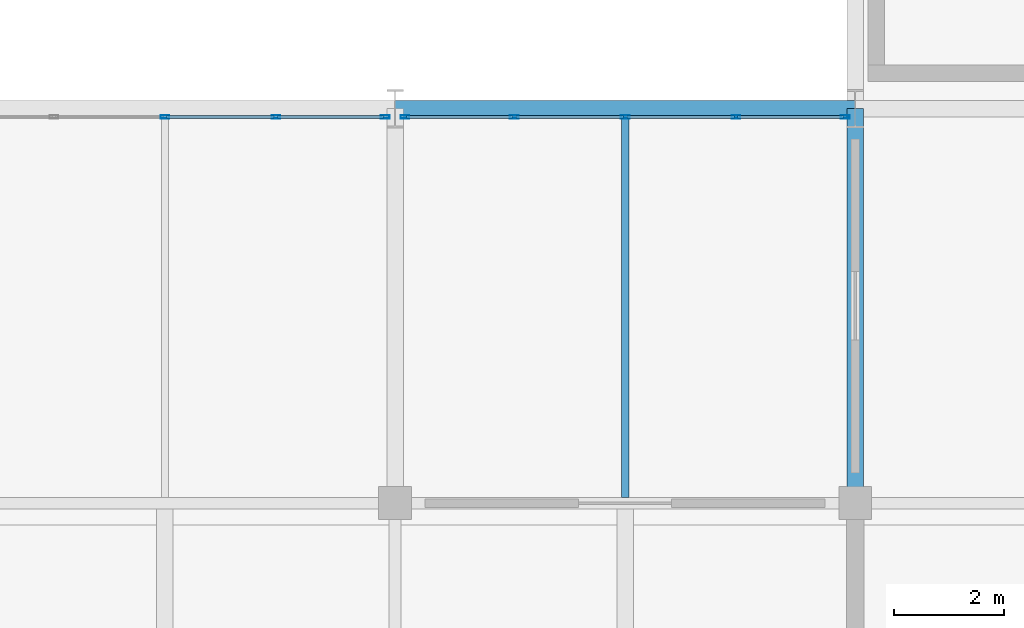
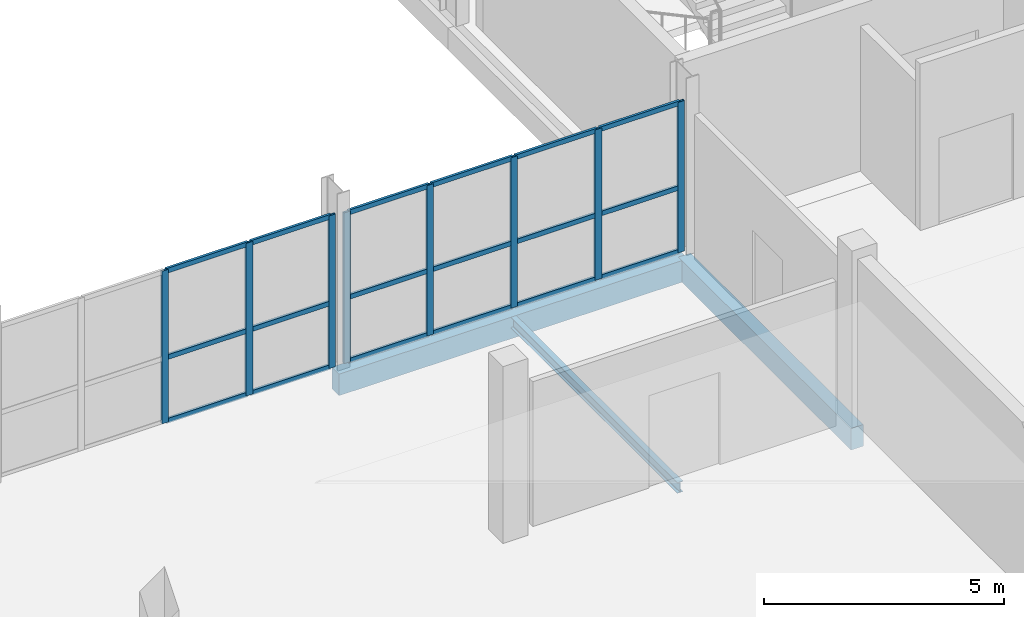
# One storey, part 41 of 113: 26 members, 3 beams, 2 elements without a shape of their own.
"""IFC4 building model written with IfcOpenShell, lengths in metres."""

from ifc_helpers import new_model, si_unit, direction, frame, origin, origin_2d, place, context, subcontext, project, spatial, rectangle, hollow_rectangle, i_section, extrude, material, material_profile, profile_set, type_object, element, aggregate, save


model = new_model("IFC4")

# Units and contexts
model_context = context("Model", 3, precision=1e-05, world=origin(), true_north=direction((0.0, 1.0)))
body_context = subcontext(model_context, "Body", "Model", "MODEL_VIEW")
ifc_project = project(units=[si_unit("LENGTHUNIT", "METRE"), si_unit("AREAUNIT", "SQUARE_METRE"), si_unit("VOLUMEUNIT", "CUBIC_METRE"), si_unit("PLANEANGLEUNIT", "RADIAN"), si_unit("MASSUNIT", "GRAM", prefix="KILO")], contexts=[model_context])

# Site, building, storey
site_placement = place(None, origin())
site = spatial("IfcSite", under=ifc_project, at=site_placement, CompositionType="ELEMENT")
building_placement = place(site_placement, origin())
building = spatial("IfcBuilding", under=site, at=building_placement, Name="Veltarok Museum of Natural Sciences", CompositionType="ELEMENT")
storey_placement = place(building_placement, frame((0.0, 0.0, 8.39990234375)))
storey = spatial("IfcBuildingStorey", under=building, at=storey_placement, Name="L01", CompositionType="ELEMENT", Elevation=8.39990234375)

# Curtain wall, members
ifc_material_1 = material(Name="Low-iron triple insulated glass", Category="glass")
curtain_wall_type_1 = type_object("IfcCurtainWallType", Name="Curtain Wall System CW-V5CN-L01-0-810x388 (CW-V5CN L01 810x388cm)", PredefinedType="NOTDEFINED", material=ifc_material_1)
curtain_wall_1_placement = place(storey_placement, origin())
curtain_wall_1 = element("IfcCurtainWall", 1, at=curtain_wall_1_placement, inside=storey, type_object=curtain_wall_type_1, Name="Curtain Wall CW-V5CN-L01-0-810x388 CW-0188", PredefinedType="NOTDEFINED")
ifc_material_2 = material(Name="Thermally broken anodised aluminium", Category="aluminium")
ifc_material_profile_1 = material_profile(ifc_material_2, hollow_rectangle(XDim=0.06005859375, YDim=0.1201171875, WallThickness=0.0048828125, at=origin_2d()), Name="CW TRANSOM 60x120x5")
ifc_profile_set_1 = profile_set([ifc_material_profile_1], Name="Thermally broken anodised aluminium")
member_type_1 = type_object("IfcMemberType", Name="Curtain Wall Horizontal Transom 60x120x5", PredefinedType="USERDEFINED", material=ifc_profile_set_1)
member_1_placement = place(storey_placement, frame((123.7900390625, 26.25, 0.028076171875), z_axis=(-1.0, 0.0, 0.0), x_axis=(0.0, -1.0, 0.0)))
member_1 = element("IfcMember", 2, at=member_1_placement, type_object=member_type_1, Name="CW-V5CN-L01-0-810x388 transom 1.1", ObjectType="TRANSOM", PredefinedType="USERDEFINED", context=body_context, shape_type="SweptSolid", body=[
    extrude(hollow_rectangle(XDim=0.06005859375, YDim=0.1201171875, WallThickness=0.0048828125, at=origin_2d()), origin(), (0.0, 0.0, 1.0), 1.93505859375),
])
member_2_placement = place(storey_placement, frame((123.7900390625, 26.25, 1.648193359375), z_axis=(-1.0, 0.0, 0.0), x_axis=(0.0, -1.0, 0.0)))
member_2 = element("IfcMember", 3, at=member_2_placement, type_object=member_type_1, Name="CW-V5CN-L01-0-810x388 transom 1.2", ObjectType="TRANSOM", PredefinedType="USERDEFINED", context=body_context, shape_type="SweptSolid", body=[
    extrude(hollow_rectangle(XDim=0.06005859375, YDim=0.1201171875, WallThickness=0.0048828125, at=origin_2d()), origin(), (0.0, 0.0, 1.0), 1.93505859375),
])
member_3_placement = place(storey_placement, frame((123.7900390625, 26.25, 3.85009765625), z_axis=(-1.0, 0.0, 0.0), x_axis=(0.0, -1.0, 0.0)))
member_3 = element("IfcMember", 4, at=member_3_placement, type_object=member_type_1, Name="CW-V5CN-L01-0-810x388 transom 1.3", ObjectType="TRANSOM", PredefinedType="USERDEFINED", context=body_context, shape_type="SweptSolid", body=[
    extrude(hollow_rectangle(XDim=0.06005859375, YDim=0.1201171875, WallThickness=0.0048828125, at=origin_2d()), origin(), (0.0, 0.0, 1.0), 1.93505859375),
])
member_4_placement = place(storey_placement, frame((121.794921875, 26.25, 0.028076171875), z_axis=(-1.0, 0.0, 0.0), x_axis=(0.0, -1.0, 0.0)))
member_4 = element("IfcMember", 5, at=member_4_placement, type_object=member_type_1, Name="CW-V5CN-L01-0-810x388 transom 2.1", ObjectType="TRANSOM", PredefinedType="USERDEFINED", context=body_context, shape_type="SweptSolid", body=[
    extrude(hollow_rectangle(XDim=0.06005859375, YDim=0.1201171875, WallThickness=0.0048828125, at=origin_2d()), origin(), (0.0, 0.0, 1.0), 1.96484375),
])
member_5_placement = place(storey_placement, frame((121.794921875, 26.25, 1.648193359375), z_axis=(-1.0, 0.0, 0.0), x_axis=(0.0, -1.0, 0.0)))
member_5 = element("IfcMember", 6, at=member_5_placement, type_object=member_type_1, Name="CW-V5CN-L01-0-810x388 transom 2.2", ObjectType="TRANSOM", PredefinedType="USERDEFINED", context=body_context, shape_type="SweptSolid", body=[
    extrude(hollow_rectangle(XDim=0.06005859375, YDim=0.1201171875, WallThickness=0.0048828125, at=origin_2d()), origin(), (0.0, 0.0, 1.0), 1.96484375),
])
member_6_placement = place(storey_placement, frame((121.794921875, 26.25, 3.85009765625), z_axis=(-1.0, 0.0, 0.0), x_axis=(0.0, -1.0, 0.0)))
member_6 = element("IfcMember", 7, at=member_6_placement, type_object=member_type_1, Name="CW-V5CN-L01-0-810x388 transom 2.3", ObjectType="TRANSOM", PredefinedType="USERDEFINED", context=body_context, shape_type="SweptSolid", body=[
    extrude(hollow_rectangle(XDim=0.06005859375, YDim=0.1201171875, WallThickness=0.0048828125, at=origin_2d()), origin(), (0.0, 0.0, 1.0), 1.96484375),
])

curtain_wall_type_2 = type_object("IfcCurtainWallType", Name="Curtain Wall System CW-V5CN-L01-1-810x383 (CW-V5CN L01 810x383cm)", PredefinedType="NOTDEFINED", material=ifc_material_1)
curtain_wall_2_placement = place(storey_placement, origin())
curtain_wall_2 = element("IfcCurtainWall", 8, at=curtain_wall_2_placement, inside=storey, type_object=curtain_wall_type_2, Name="Curtain Wall CW-V5CN-L01-1-810x383 CW-0189", PredefinedType="NOTDEFINED")
member_7_placement = place(storey_placement, frame((132.18994140625, 26.25, 0.028076171875), z_axis=(-1.0, 0.0, 0.0), x_axis=(0.0, -1.0, 0.0)))
member_7 = element("IfcMember", 9, at=member_7_placement, type_object=member_type_1, Name="CW-V5CN-L01-1-810x383 transom 1.1", ObjectType="TRANSOM", PredefinedType="USERDEFINED", context=body_context, shape_type="SweptSolid", body=[
    extrude(hollow_rectangle(XDim=0.06005859375, YDim=0.1201171875, WallThickness=0.0048828125, at=origin_2d()), origin(), (0.0, 0.0, 1.0), 1.93505859375),
])
member_8_placement = place(storey_placement, frame((132.18994140625, 26.25, 1.648193359375), z_axis=(-1.0, 0.0, 0.0), x_axis=(0.0, -1.0, 0.0)))
member_8 = element("IfcMember", 10, at=member_8_placement, type_object=member_type_1, Name="CW-V5CN-L01-1-810x383 transom 1.2", ObjectType="TRANSOM", PredefinedType="USERDEFINED", context=body_context, shape_type="SweptSolid", body=[
    extrude(hollow_rectangle(XDim=0.06005859375, YDim=0.1201171875, WallThickness=0.0048828125, at=origin_2d()), origin(), (0.0, 0.0, 1.0), 1.93505859375),
])
member_9_placement = place(storey_placement, frame((132.18994140625, 26.25, 3.800048828125), z_axis=(-1.0, 0.0, 0.0), x_axis=(0.0, -1.0, 0.0)))
member_9 = element("IfcMember", 11, at=member_9_placement, type_object=member_type_1, Name="CW-V5CN-L01-1-810x383 transom 1.3", ObjectType="TRANSOM", PredefinedType="USERDEFINED", context=body_context, shape_type="SweptSolid", body=[
    extrude(hollow_rectangle(XDim=0.06005859375, YDim=0.1201171875, WallThickness=0.0048828125, at=origin_2d()), origin(), (0.0, 0.0, 1.0), 1.93505859375),
])
member_10_placement = place(storey_placement, frame((130.195068359375, 26.25, 0.028076171875), z_axis=(-1.0, 0.0, 0.0), x_axis=(0.0, -1.0, 0.0)))
member_10 = element("IfcMember", 12, at=member_10_placement, type_object=member_type_1, Name="CW-V5CN-L01-1-810x383 transom 2.1", ObjectType="TRANSOM", PredefinedType="USERDEFINED", context=body_context, shape_type="SweptSolid", body=[
    extrude(hollow_rectangle(XDim=0.06005859375, YDim=0.1201171875, WallThickness=0.0048828125, at=origin_2d()), origin(), (0.0, 0.0, 1.0), 1.965087890625),
])
member_11_placement = place(storey_placement, frame((130.195068359375, 26.25, 1.648193359375), z_axis=(-1.0, 0.0, 0.0), x_axis=(0.0, -1.0, 0.0)))
member_11 = element("IfcMember", 13, at=member_11_placement, type_object=member_type_1, Name="CW-V5CN-L01-1-810x383 transom 2.2", ObjectType="TRANSOM", PredefinedType="USERDEFINED", context=body_context, shape_type="SweptSolid", body=[
    extrude(hollow_rectangle(XDim=0.06005859375, YDim=0.1201171875, WallThickness=0.0048828125, at=origin_2d()), origin(), (0.0, 0.0, 1.0), 1.965087890625),
])
member_12_placement = place(storey_placement, frame((130.195068359375, 26.25, 3.800048828125), z_axis=(-1.0, 0.0, 0.0), x_axis=(0.0, -1.0, 0.0)))
member_12 = element("IfcMember", 14, at=member_12_placement, type_object=member_type_1, Name="CW-V5CN-L01-1-810x383 transom 2.3", ObjectType="TRANSOM", PredefinedType="USERDEFINED", context=body_context, shape_type="SweptSolid", body=[
    extrude(hollow_rectangle(XDim=0.06005859375, YDim=0.1201171875, WallThickness=0.0048828125, at=origin_2d()), origin(), (0.0, 0.0, 1.0), 1.965087890625),
])
member_13_placement = place(storey_placement, frame((128.169921875, 26.25, 0.028076171875), z_axis=(-1.0, 0.0, 0.0), x_axis=(0.0, -1.0, 0.0)))
member_13 = element("IfcMember", 15, at=member_13_placement, type_object=member_type_1, Name="CW-V5CN-L01-1-810x383 transom 3.1", ObjectType="TRANSOM", PredefinedType="USERDEFINED", context=body_context, shape_type="SweptSolid", body=[
    extrude(hollow_rectangle(XDim=0.06005859375, YDim=0.1201171875, WallThickness=0.0048828125, at=origin_2d()), origin(), (0.0, 0.0, 1.0), 1.96484375),
])
member_14_placement = place(storey_placement, frame((128.169921875, 26.25, 1.648193359375), z_axis=(-1.0, 0.0, 0.0), x_axis=(0.0, -1.0, 0.0)))
member_14 = element("IfcMember", 16, at=member_14_placement, type_object=member_type_1, Name="CW-V5CN-L01-1-810x383 transom 3.2", ObjectType="TRANSOM", PredefinedType="USERDEFINED", context=body_context, shape_type="SweptSolid", body=[
    extrude(hollow_rectangle(XDim=0.06005859375, YDim=0.1201171875, WallThickness=0.0048828125, at=origin_2d()), origin(), (0.0, 0.0, 1.0), 1.96484375),
])
member_15_placement = place(storey_placement, frame((128.169921875, 26.25, 3.800048828125), z_axis=(-1.0, 0.0, 0.0), x_axis=(0.0, -1.0, 0.0)))
member_15 = element("IfcMember", 17, at=member_15_placement, type_object=member_type_1, Name="CW-V5CN-L01-1-810x383 transom 3.3", ObjectType="TRANSOM", PredefinedType="USERDEFINED", context=body_context, shape_type="SweptSolid", body=[
    extrude(hollow_rectangle(XDim=0.06005859375, YDim=0.1201171875, WallThickness=0.0048828125, at=origin_2d()), origin(), (0.0, 0.0, 1.0), 1.96484375),
])
member_16_placement = place(storey_placement, frame((126.14501953125, 26.25, 0.028076171875), z_axis=(-1.0, 0.0, 0.0), x_axis=(0.0, -1.0, 0.0)))
member_16 = element("IfcMember", 18, at=member_16_placement, type_object=member_type_1, Name="CW-V5CN-L01-1-810x383 transom 4.1", ObjectType="TRANSOM", PredefinedType="USERDEFINED", context=body_context, shape_type="SweptSolid", body=[
    extrude(hollow_rectangle(XDim=0.06005859375, YDim=0.1201171875, WallThickness=0.0048828125, at=origin_2d()), origin(), (0.0, 0.0, 1.0), 1.93505859375),
])
member_17_placement = place(storey_placement, frame((126.14501953125, 26.25, 1.648193359375), z_axis=(-1.0, 0.0, 0.0), x_axis=(0.0, -1.0, 0.0)))
member_17 = element("IfcMember", 19, at=member_17_placement, type_object=member_type_1, Name="CW-V5CN-L01-1-810x383 transom 4.2", ObjectType="TRANSOM", PredefinedType="USERDEFINED", context=body_context, shape_type="SweptSolid", body=[
    extrude(hollow_rectangle(XDim=0.06005859375, YDim=0.1201171875, WallThickness=0.0048828125, at=origin_2d()), origin(), (0.0, 0.0, 1.0), 1.93505859375),
])
member_18_placement = place(storey_placement, frame((126.14501953125, 26.25, 3.800048828125), z_axis=(-1.0, 0.0, 0.0), x_axis=(0.0, -1.0, 0.0)))
member_18 = element("IfcMember", 20, at=member_18_placement, type_object=member_type_1, Name="CW-V5CN-L01-1-810x383 transom 4.3", ObjectType="TRANSOM", PredefinedType="USERDEFINED", context=body_context, shape_type="SweptSolid", body=[
    extrude(hollow_rectangle(XDim=0.06005859375, YDim=0.1201171875, WallThickness=0.0048828125, at=origin_2d()), origin(), (0.0, 0.0, 1.0), 1.93505859375),
])

# Member
ifc_material_profile_2 = material_profile(ifc_material_2, hollow_rectangle(XDim=0.06005859375, YDim=0.159912109375, WallThickness=0.0048828125, at=origin_2d()), Name="CW MULLION 60x160x5")
ifc_profile_set_2 = profile_set([ifc_material_profile_2], Name="Thermally broken anodised aluminium")
member_type_2 = type_object("IfcMemberType", Name="Curtain Wall Vertical Mullion 60x160x5", PredefinedType="MULLION", material=ifc_profile_set_2)
member_19_placement = place(storey_placement, frame((123.820068359375, 26.25, -0.001953125), z_axis=(0.0, 0.0, 1.0), x_axis=(0.0, -1.0, 0.0)))
member_19 = element("IfcMember", 21, at=member_19_placement, type_object=member_type_2, Name="CW-V5CN-L01-0-810x388 mullion 1", PredefinedType="MULLION", context=body_context, shape_type="SweptSolid", body=[
    extrude(hollow_rectangle(XDim=0.06005859375, YDim=0.159912109375, WallThickness=0.0048828125, at=origin_2d()), origin(), (0.0, 0.0, 1.0), 3.882080078125),
])

member_20_placement = place(storey_placement, frame((121.824951171875, 26.25, -0.001953125), z_axis=(0.0, 0.0, 1.0), x_axis=(0.0, -1.0, 0.0)))
member_20 = element("IfcMember", 22, at=member_20_placement, type_object=member_type_2, Name="CW-V5CN-L01-0-810x388 mullion 2", PredefinedType="MULLION", context=body_context, shape_type="SweptSolid", body=[
    extrude(hollow_rectangle(XDim=0.06005859375, YDim=0.159912109375, WallThickness=0.0048828125, at=origin_2d()), origin(), (0.0, 0.0, 1.0), 3.882080078125),
])

member_21_placement = place(storey_placement, frame((119.800048828125, 26.25, -0.001953125), z_axis=(0.0, 0.0, 1.0), x_axis=(0.0, -1.0, 0.0)))
member_21 = element("IfcMember", 23, at=member_21_placement, type_object=member_type_2, Name="CW-V5CN-L01-0-810x388 mullion 3", PredefinedType="MULLION", context=body_context, shape_type="SweptSolid", body=[
    extrude(hollow_rectangle(XDim=0.06005859375, YDim=0.159912109375, WallThickness=0.0048828125, at=origin_2d()), origin(), (0.0, 0.0, 1.0), 3.882080078125),
])

aggregate(curtain_wall_1, [member_19, member_20, member_21, member_1, member_2, member_3, member_4, member_5, member_6])

member_22_placement = place(storey_placement, frame((132.219970703125, 26.25, -0.001953125), z_axis=(0.0, 0.0, 1.0), x_axis=(0.0, -1.0, 0.0)))
member_22 = element("IfcMember", 24, at=member_22_placement, type_object=member_type_2, Name="CW-V5CN-L01-1-810x383 mullion 1", PredefinedType="MULLION", context=body_context, shape_type="SweptSolid", body=[
    extrude(hollow_rectangle(XDim=0.06005859375, YDim=0.159912109375, WallThickness=0.0048828125, at=origin_2d()), origin(), (0.0, 0.0, 1.0), 3.83203125),
])

member_23_placement = place(storey_placement, frame((130.22509765625, 26.25, -0.001953125), z_axis=(0.0, 0.0, 1.0), x_axis=(0.0, -1.0, 0.0)))
member_23 = element("IfcMember", 25, at=member_23_placement, type_object=member_type_2, Name="CW-V5CN-L01-1-810x383 mullion 2", PredefinedType="MULLION", context=body_context, shape_type="SweptSolid", body=[
    extrude(hollow_rectangle(XDim=0.06005859375, YDim=0.159912109375, WallThickness=0.0048828125, at=origin_2d()), origin(), (0.0, 0.0, 1.0), 3.83203125),
])

member_24_placement = place(storey_placement, frame((128.199951171875, 26.25, -0.001953125), z_axis=(0.0, 0.0, 1.0), x_axis=(0.0, -1.0, 0.0)))
member_24 = element("IfcMember", 26, at=member_24_placement, type_object=member_type_2, Name="CW-V5CN-L01-1-810x383 mullion 3", PredefinedType="MULLION", context=body_context, shape_type="SweptSolid", body=[
    extrude(hollow_rectangle(XDim=0.06005859375, YDim=0.159912109375, WallThickness=0.0048828125, at=origin_2d()), origin(), (0.0, 0.0, 1.0), 3.83203125),
])

member_25_placement = place(storey_placement, frame((126.175048828125, 26.25, -0.001953125), z_axis=(0.0, 0.0, 1.0), x_axis=(0.0, -1.0, 0.0)))
member_25 = element("IfcMember", 27, at=member_25_placement, type_object=member_type_2, Name="CW-V5CN-L01-1-810x383 mullion 4", PredefinedType="MULLION", context=body_context, shape_type="SweptSolid", body=[
    extrude(hollow_rectangle(XDim=0.06005859375, YDim=0.159912109375, WallThickness=0.0048828125, at=origin_2d()), origin(), (0.0, 0.0, 1.0), 3.83203125),
])

member_26_placement = place(storey_placement, frame((124.179931640625, 26.25, -0.001953125), z_axis=(0.0, 0.0, 1.0), x_axis=(0.0, -1.0, 0.0)))
member_26 = element("IfcMember", 28, at=member_26_placement, type_object=member_type_2, Name="CW-V5CN-L01-1-810x383 mullion 5", PredefinedType="MULLION", context=body_context, shape_type="SweptSolid", body=[
    extrude(hollow_rectangle(XDim=0.06005859375, YDim=0.159912109375, WallThickness=0.0048828125, at=origin_2d()), origin(), (0.0, 0.0, 1.0), 3.83203125),
])

aggregate(curtain_wall_2, [member_22, member_23, member_24, member_25, member_26, member_7, member_8, member_9, member_10, member_11, member_12, member_13, member_14, member_15, member_16, member_17, member_18])

# Beams
ifc_material_3 = material(Name="Precast concrete C40/50", Category="concrete")
ifc_material_profile_3 = material_profile(ifc_material_3, rectangle(XDim=0.300048828125, YDim=0.550048828125, at=origin_2d()), Name="RC 300x550")
ifc_profile_set_3 = profile_set([ifc_material_profile_3], Name="Precast concrete C40/50")
beam_type_1 = type_object("IfcBeamType", Name="East Wing Precast Spandrel RC 300x550", PredefinedType="SPANDREL", material=ifc_profile_set_3)
beam_1_placement = place(storey_placement, frame((124.0, 26.39990234375, -0.52490234375), z_axis=(1.0, 0.0, 0.0), x_axis=(0.0, 1.0, 0.0)))
element("IfcBeam", 29, at=beam_1_placement, inside=storey, type_object=beam_type_1, Name="Beam BM-SP02 L01 15-16/D", PredefinedType="SPANDREL", context=body_context, shape_type="SweptSolid", body=[
    extrude(rectangle(XDim=0.300048828125, YDim=0.550048828125, at=origin_2d()), origin(), (0.0, 0.0, 1.0), 8.39990234375),
])
beam_2_placement = place(storey_placement, frame((132.39990234375, 19.199951171875, -0.52490234375), z_axis=(0.0, 1.0, 0.0), x_axis=(-1.0, 0.0, 0.0)))
element("IfcBeam", 30, at=beam_2_placement, inside=storey, type_object=beam_type_1, Name="Beam BM-SP02 L01 16/C-D", PredefinedType="SPANDREL", context=body_context, shape_type="SweptSolid", body=[
    extrude(rectangle(XDim=0.300048828125, YDim=0.550048828125, at=origin_2d()), origin(), (0.0, 0.0, 1.0), 7.199951171875),
])
ifc_material_4 = material(Name="Steel S355J2", Category="steel")
ifc_material_profile_4 = material_profile(ifc_material_4, i_section(OverallWidth=0.135009765625, OverallDepth=0.27001953125, WebThickness=0.006591796875, FlangeThickness=0.01025390625, FilletRadius=0.014892578125, at=origin_2d()), Name="IPE 270")
ifc_profile_set_4 = profile_set([ifc_material_profile_4], Name="Steel S355J2")
beam_type_2 = type_object("IfcBeamType", Name="Short-Bay Composite Joist IPE 270", PredefinedType="JOIST", material=ifc_profile_set_4)
beam_3_placement = place(storey_placement, frame((128.199951171875, 19.302978515625, -0.385009765625), z_axis=(0.0, 1.0, 0.0), x_axis=(-1.0, 0.0, 0.0)))
element("IfcBeam", 31, at=beam_3_placement, inside=storey, type_object=beam_type_2, Name="Secondary Joist BM-J04 L01 15-16/C-D.1", PredefinedType="JOIST", context=body_context, shape_type="SweptSolid", body=[
    extrude(i_section(OverallWidth=0.135009765625, OverallDepth=0.27001953125, WebThickness=0.006591796875, FlangeThickness=0.01025390625, FilletRadius=0.014892578125, at=origin_2d()), origin(), (0.0, 0.0, 1.0), 6.948974609375),
])

save(model, "model.ifc")
